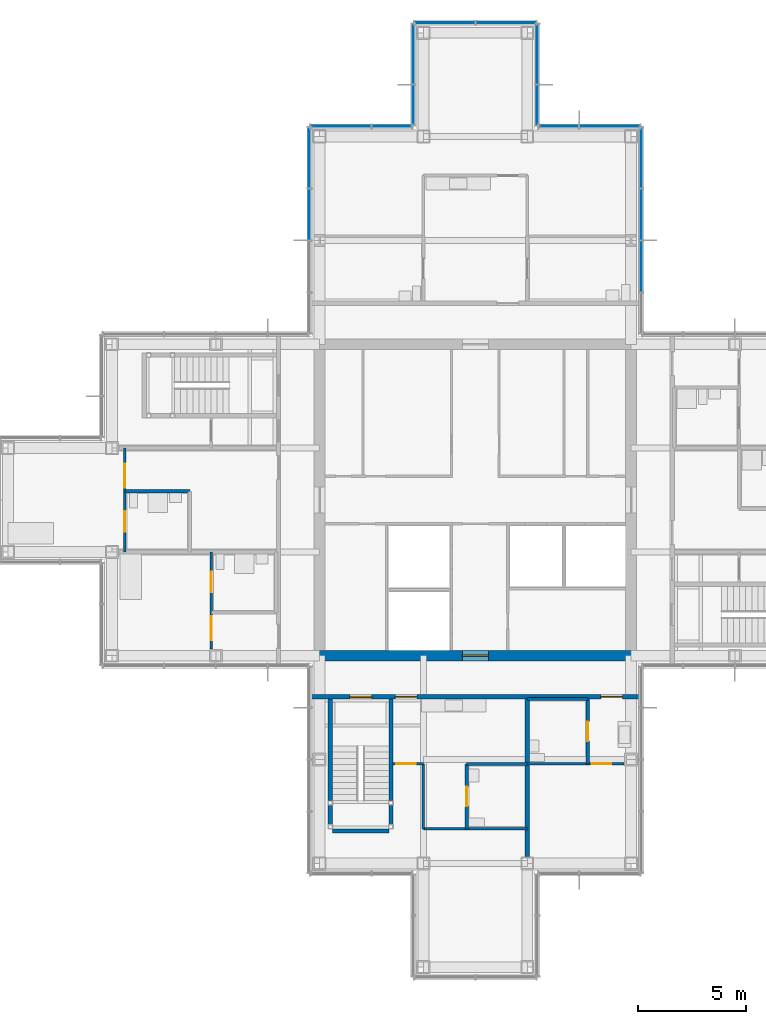
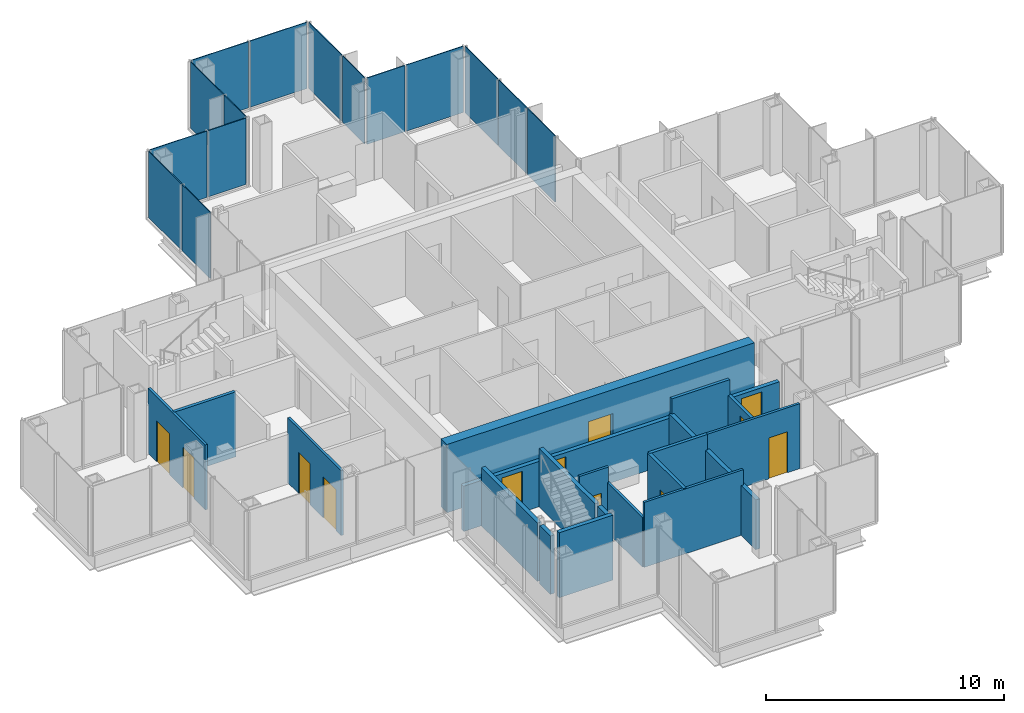
# One storey, part 11 of 17: 19 walls, 15 plates, 12 doors, 12 openings, 7 elements without a shape of their own.
"""IFC4 building model written with IfcOpenShell, lengths in metres."""

from ifc_helpers import new_model, si_unit, direction, frame, frame_2d, origin, origin_2d, place, context, subcontext, project, spatial, rectangle, extrude, material, layer, layer_set, type_object, element, fill, aggregate, save


model = new_model("IFC4")

# Units and contexts
model_context = context("Model", 3, precision=1e-05, world=origin(), true_north=direction((0.0, 1.0)))
body_context = subcontext(model_context, "Body", "Model", "MODEL_VIEW")
ifc_project = project(units=[si_unit("LENGTHUNIT", "METRE"), si_unit("AREAUNIT", "SQUARE_METRE"), si_unit("VOLUMEUNIT", "CUBIC_METRE"), si_unit("PLANEANGLEUNIT", "RADIAN"), si_unit("MASSUNIT", "GRAM", prefix="KILO")], contexts=[model_context])

# Site, building, storey
site_placement = place(None, origin())
site = spatial("IfcSite", under=ifc_project, at=site_placement, CompositionType="ELEMENT")
building_placement = place(site_placement, origin())
building = spatial("IfcBuilding", under=site, at=building_placement, Name="Kvirike Care Tower", CompositionType="ELEMENT")
storey_placement = place(building_placement, frame((0.0, 0.0, 158.5)))
storey = spatial("IfcBuildingStorey", under=building, at=storey_placement, Name="L43", CompositionType="ELEMENT", Elevation=158.5)

# Curtain wall, plates
ifc_material_1 = material(Name="Anodised aluminium stick system", Category="aluminium")
curtain_wall_type = type_object("IfcCurtainWallType", Name="CW-C STICK CURTAIN WALL", PredefinedType="NOTDEFINED", material=ifc_material_1)
curtain_wall_1_placement = place(storey_placement, origin())
curtain_wall_1 = element("IfcCurtainWall", 1, at=curtain_wall_1_placement, inside=storey, type_object=curtain_wall_type, Name="Curtain wall L43 face 8", PredefinedType="NOTDEFINED")
ifc_material_2 = material(Name="Tinted double glazed unit", Category="glass")
ifc_layer_1 = layer(ifc_material_2, 0.0400390625)
ifc_layer_set_1 = layer_set([ifc_layer_1], Name="TINTED VISION PANEL 40")
plate_type = type_object("IfcPlateType", Name="TINTED VISION PANEL 40", PredefinedType="CURTAIN_PANEL", material=ifc_layer_set_1)
plate_1_placement = place(storey_placement, frame((29.27001953125, 46.800048828125, 0.10009765625), z_axis=(0.0, 0.0, 1.0), x_axis=(0.0, 1.0, 0.0)))
plate_1 = element("IfcPlate", 2, at=plate_1_placement, type_object=plate_type, Name="CW-C panel L43 face 8.2", PredefinedType="CURTAIN_PANEL", context=body_context, shape_type="SweptSolid", body=[
    extrude(rectangle(XDim=2.3349609375, YDim=0.0400390625, at=origin_2d()), origin(), (0.0, 0.0, 1.0), 3.39990234375),
])
plate_2_placement = place(storey_placement, frame((29.27001953125, 49.199951171875, 0.10009765625), z_axis=(0.0, 0.0, 1.0), x_axis=(0.0, 1.0, 0.0)))
plate_2 = element("IfcPlate", 3, at=plate_2_placement, type_object=plate_type, Name="CW-C panel L43 face 8.3", PredefinedType="CURTAIN_PANEL", context=body_context, shape_type="SweptSolid", body=[
    extrude(rectangle(XDim=2.3349609375, YDim=0.0400390625, at=origin_2d()), origin(), (0.0, 0.0, 1.0), 3.39990234375),
])
plate_3_placement = place(storey_placement, frame((29.27001953125, 51.81884765625, 0.10009765625), z_axis=(0.0, 0.0, 1.0), x_axis=(0.0, 1.0, 0.0)))
plate_3 = element("IfcPlate", 4, at=plate_3_placement, type_object=plate_type, Name="CW-C panel L43 face 8.4", PredefinedType="CURTAIN_PANEL", context=body_context, shape_type="SweptSolid", body=[
    extrude(rectangle(XDim=2.7724609375, YDim=0.0400390625, at=origin_2d()), origin(), (0.0, 0.0, 1.0), 3.39990234375),
])
aggregate(curtain_wall_1, [plate_1, plate_2, plate_3])

curtain_wall_2_placement = place(storey_placement, origin())
curtain_wall_2 = element("IfcCurtainWall", 5, at=curtain_wall_2_placement, inside=storey, type_object=curtain_wall_type, Name="Curtain wall L43 face 9", PredefinedType="NOTDEFINED")
plate_4_placement = place(storey_placement, frame((27.81884765625, 53.27001953125, 0.10009765625), z_axis=(0.0, 0.0, 1.0), x_axis=(-1.0, 0.0, 0.0)))
plate_4 = element("IfcPlate", 6, at=plate_4_placement, type_object=plate_type, Name="CW-C panel L43 face 9.1", PredefinedType="CURTAIN_PANEL", context=body_context, shape_type="SweptSolid", body=[
    extrude(rectangle(XDim=2.7724609375, YDim=0.0400390625, at=origin_2d()), origin(), (0.0, 0.0, 1.0), 3.39990234375),
])
plate_5_placement = place(storey_placement, frame((25.451171875, 53.27001953125, 0.10009765625), z_axis=(0.0, 0.0, 1.0), x_axis=(-1.0, 0.0, 0.0)))
plate_5 = element("IfcPlate", 7, at=plate_5_placement, type_object=plate_type, Name="CW-C panel L43 face 9.2", PredefinedType="CURTAIN_PANEL", context=body_context, shape_type="SweptSolid", body=[
    extrude(rectangle(XDim=1.83251953125, YDim=0.0400390625, at=origin_2d()), origin(), (0.0, 0.0, 1.0), 3.39990234375),
])
aggregate(curtain_wall_2, [plate_4, plate_5])

curtain_wall_3_placement = place(storey_placement, origin())
curtain_wall_3 = element("IfcCurtainWall", 8, at=curtain_wall_3_placement, inside=storey, type_object=curtain_wall_type, Name="Curtain wall L43 face 10", PredefinedType="NOTDEFINED")
plate_6_placement = place(storey_placement, frame((24.469970703125, 54.251220703125, 0.10009765625), z_axis=(0.0, 0.0, 1.0), x_axis=(0.0, 1.0, 0.0)))
plate_6 = element("IfcPlate", 9, at=plate_6_placement, type_object=plate_type, Name="CW-C panel L43 face 10.1", PredefinedType="CURTAIN_PANEL", context=body_context, shape_type="SweptSolid", body=[
    extrude(rectangle(XDim=1.83251953125, YDim=0.0400390625, at=origin_2d()), origin(), (0.0, 0.0, 1.0), 3.39990234375),
])
plate_7_placement = place(storey_placement, frame((24.469970703125, 56.61865234375, 0.10009765625), z_axis=(0.0, 0.0, 1.0), x_axis=(0.0, 1.0, 0.0)))
plate_7 = element("IfcPlate", 10, at=plate_7_placement, type_object=plate_type, Name="CW-C panel L43 face 10.2", PredefinedType="CURTAIN_PANEL", context=body_context, shape_type="SweptSolid", body=[
    extrude(rectangle(XDim=2.7724609375, YDim=0.0400390625, at=origin_2d()), origin(), (0.0, 0.0, 1.0), 3.39990234375),
])
aggregate(curtain_wall_3, [plate_6, plate_7])

curtain_wall_4_placement = place(storey_placement, origin())
curtain_wall_4 = element("IfcCurtainWall", 11, at=curtain_wall_4_placement, inside=storey, type_object=curtain_wall_type, Name="Curtain wall L43 face 11", PredefinedType="NOTDEFINED")
plate_8_placement = place(storey_placement, frame((23.018798828125, 58.070068359375, 0.10009765625), z_axis=(0.0, 0.0, 1.0), x_axis=(-1.0, 0.0, 0.0)))
plate_8 = element("IfcPlate", 12, at=plate_8_placement, type_object=plate_type, Name="CW-C panel L43 face 11.1", PredefinedType="CURTAIN_PANEL", context=body_context, shape_type="SweptSolid", body=[
    extrude(rectangle(XDim=2.7724609375, YDim=0.0400390625, at=origin_2d()), origin(), (0.0, 0.0, 1.0), 3.39990234375),
])
plate_9_placement = place(storey_placement, frame((20.18115234375, 58.070068359375, 0.10009765625), z_axis=(0.0, 0.0, 1.0), x_axis=(-1.0, 0.0, 0.0)))
plate_9 = element("IfcPlate", 13, at=plate_9_placement, type_object=plate_type, Name="CW-C panel L43 face 11.2", PredefinedType="CURTAIN_PANEL", context=body_context, shape_type="SweptSolid", body=[
    extrude(rectangle(XDim=2.7724609375, YDim=0.0400390625, at=origin_2d()), origin(), (0.0, 0.0, 1.0), 3.39990234375),
])
aggregate(curtain_wall_4, [plate_8, plate_9])

curtain_wall_5_placement = place(storey_placement, origin())
curtain_wall_5 = element("IfcCurtainWall", 14, at=curtain_wall_5_placement, inside=storey, type_object=curtain_wall_type, Name="Curtain wall L43 face 12", PredefinedType="NOTDEFINED")
plate_10_placement = place(storey_placement, frame((18.72998046875, 56.61865234375, 0.10009765625), z_axis=(0.0, 0.0, 1.0), x_axis=(0.0, -1.0, 0.0)))
plate_10 = element("IfcPlate", 15, at=plate_10_placement, type_object=plate_type, Name="CW-C panel L43 face 12.1", PredefinedType="CURTAIN_PANEL", context=body_context, shape_type="SweptSolid", body=[
    extrude(rectangle(XDim=2.7724609375, YDim=0.0400390625, at=origin_2d()), origin(), (0.0, 0.0, 1.0), 3.39990234375),
])
plate_11_placement = place(storey_placement, frame((18.72998046875, 54.251220703125, 0.10009765625), z_axis=(0.0, 0.0, 1.0), x_axis=(0.0, -1.0, 0.0)))
plate_11 = element("IfcPlate", 16, at=plate_11_placement, type_object=plate_type, Name="CW-C panel L43 face 12.2", PredefinedType="CURTAIN_PANEL", context=body_context, shape_type="SweptSolid", body=[
    extrude(rectangle(XDim=1.83251953125, YDim=0.0400390625, at=origin_2d()), origin(), (0.0, 0.0, 1.0), 3.39990234375),
])
aggregate(curtain_wall_5, [plate_10, plate_11])

curtain_wall_6_placement = place(storey_placement, origin())
curtain_wall_6 = element("IfcCurtainWall", 17, at=curtain_wall_6_placement, inside=storey, type_object=curtain_wall_type, Name="Curtain wall L43 face 13", PredefinedType="NOTDEFINED")
plate_12_placement = place(storey_placement, frame((17.748779296875, 53.27001953125, 0.10009765625), z_axis=(0.0, 0.0, 1.0), x_axis=(-1.0, 0.0, 0.0)))
plate_12 = element("IfcPlate", 18, at=plate_12_placement, type_object=plate_type, Name="CW-C panel L43 face 13.1", PredefinedType="CURTAIN_PANEL", context=body_context, shape_type="SweptSolid", body=[
    extrude(rectangle(XDim=1.83251953125, YDim=0.0400390625, at=origin_2d()), origin(), (0.0, 0.0, 1.0), 3.39990234375),
])
plate_13_placement = place(storey_placement, frame((15.38134765625, 53.27001953125, 0.10009765625), z_axis=(0.0, 0.0, 1.0), x_axis=(-1.0, 0.0, 0.0)))
plate_13 = element("IfcPlate", 19, at=plate_13_placement, type_object=plate_type, Name="CW-C panel L43 face 13.2", PredefinedType="CURTAIN_PANEL", context=body_context, shape_type="SweptSolid", body=[
    extrude(rectangle(XDim=2.7724609375, YDim=0.0400390625, at=origin_2d()), origin(), (0.0, 0.0, 1.0), 3.39990234375),
])
aggregate(curtain_wall_6, [plate_12, plate_13])

curtain_wall_7_placement = place(storey_placement, origin())
curtain_wall_7 = element("IfcCurtainWall", 20, at=curtain_wall_7_placement, inside=storey, type_object=curtain_wall_type, Name="Curtain wall L43 face 14", PredefinedType="NOTDEFINED")
plate_14_placement = place(storey_placement, frame((13.929931640625, 51.81884765625, 0.10009765625), z_axis=(0.0, 0.0, 1.0), x_axis=(0.0, -1.0, 0.0)))
plate_14 = element("IfcPlate", 21, at=plate_14_placement, type_object=plate_type, Name="CW-C panel L43 face 14.1", PredefinedType="CURTAIN_PANEL", context=body_context, shape_type="SweptSolid", body=[
    extrude(rectangle(XDim=2.7724609375, YDim=0.0400390625, at=origin_2d()), origin(), (0.0, 0.0, 1.0), 3.39990234375),
])
plate_15_placement = place(storey_placement, frame((13.929931640625, 49.199951171875, 0.10009765625), z_axis=(0.0, 0.0, 1.0), x_axis=(0.0, -1.0, 0.0)))
plate_15 = element("IfcPlate", 22, at=plate_15_placement, type_object=plate_type, Name="CW-C panel L43 face 14.2", PredefinedType="CURTAIN_PANEL", context=body_context, shape_type="SweptSolid", body=[
    extrude(rectangle(XDim=2.3349609375, YDim=0.0400390625, at=origin_2d()), origin(), (0.0, 0.0, 1.0), 3.39990234375),
])
aggregate(curtain_wall_7, [plate_14, plate_15])

# Wall
ifc_material_3 = material(Name="Moisture-resistant board partition", Category="gypsum")
ifc_layer_2 = layer(ifc_material_3, 0.14990234375)
ifc_layer_set_2 = layer_set([ifc_layer_2], Name="BATHROOM WALL 150")
wall_type_1 = type_object("IfcWallType", Name="BATHROOM WALL 150", PredefinedType="PARTITIONING", material=ifc_layer_set_2)
wall_1_placement = place(storey_placement, frame((5.39990234375, 36.39990234375, 0.0), z_axis=(0.0, 0.0, 1.0), x_axis=(1.0, 0.0, 0.0)))
element("IfcWall", 23, at=wall_1_placement, inside=storey, type_object=wall_type_1, Name="Bathroom Wall 150 L43", PredefinedType="PARTITIONING", context=body_context, shape_type="SweptSolid", body=[
    extrude(rectangle(XDim=3.0, YDim=0.14990234375, at=frame_2d((1.5, 0.0))), origin(), (0.0, 0.0, 1.0), 3.330078125),
])

# Wall, opening, door
wall_2_placement = place(storey_placement, frame((21.199951171875, 20.800048828125, 0.0), z_axis=(0.0, 0.0, 1.0), x_axis=(0.0, 1.0, 0.0)))
wall_2 = element("IfcWall", 24, at=wall_2_placement, inside=storey, type_object=wall_type_1, Name="Bathroom Wall 150 L43", PredefinedType="PARTITIONING", context=body_context, shape_type="SweptSolid", body=[
    extrude(rectangle(XDim=3.0, YDim=0.14990234375, at=frame_2d((1.5, 0.0))), origin(), (0.0, 0.0, 1.0), 3.330078125),
])
opening_1_placement = place(wall_2_placement, frame((1.050048828125, 0.0, 0.0)))
opening_1 = element("IfcOpeningElement", 25, at=opening_1_placement, cuts=wall_2, Name="Opening 43-010", PredefinedType="OPENING", context=body_context, shape_type="SweptSolid", body=[
    extrude(rectangle(XDim=0.89990234375, YDim=2.10009765625, at=frame_2d((0.449951171875, 1.050048828125))), frame((0.0, 0.08544921875, 0.0), z_axis=(0.0, -1.0, 0.0), x_axis=(1.0, 0.0, 0.0)), (0.0, 0.0, 1.0), 0.1708984375),
])
ifc_material_4 = material(Name="Timber door set", Category="wood")
door_type_1 = type_object("IfcDoorType", Name="BATHROOM DOOR 900", OperationType="SINGLE_SWING_RIGHT", PredefinedType="DOOR", material=ifc_material_4)
door_1_placement = place(opening_1_placement, frame((0.89990234375, 0.0, 0.0), z_axis=(0.0, 0.0, 1.0), x_axis=(-1.0, 0.0, 0.0)))
door_1 = element("IfcDoor", 26, at=door_1_placement, inside=storey, type_object=door_type_1, Name="Accessible WC door", OperationType="SINGLE_SWING_RIGHT", OverallHeight=2.10009765625, OverallWidth=0.89990234375, PredefinedType="DOOR", context=body_context, shape_type="SweptSolid", body=[
    extrude(rectangle(XDim=0.89990234375, YDim=2.10009765625, at=frame_2d((0.449951171875, 1.050048828125))), frame((0.0, 0.02197265625, 0.0), z_axis=(0.0, -1.0, 0.0), x_axis=(1.0, 0.0, 0.0)), (0.0, 0.0, 1.0), 0.0439453125),
])
fill(opening_1, door_1)

# Wall
wall_3_placement = place(storey_placement, frame((21.199951171875, 23.800048828125, 0.0), z_axis=(0.0, 0.0, 1.0), x_axis=(1.0, 0.0, 0.0)))
element("IfcWall", 27, at=wall_3_placement, inside=storey, type_object=wall_type_1, Name="Bathroom Wall 150 L43", PredefinedType="PARTITIONING", context=body_context, shape_type="SweptSolid", body=[
    extrude(rectangle(XDim=2.800048828125, YDim=0.14990234375, at=frame_2d((1.39990234375, 0.0))), origin(), (0.0, 0.0, 1.0), 3.330078125),
])

# Wall, opening, door
wall_4_placement = place(storey_placement, frame((26.800048828125, 23.800048828125, 0.0), z_axis=(0.0, 0.0, 1.0), x_axis=(0.0, 1.0, 0.0)))
wall_4 = element("IfcWall", 28, at=wall_4_placement, inside=storey, type_object=wall_type_1, Name="Bathroom Wall 150 L43", PredefinedType="PARTITIONING", context=body_context, shape_type="SweptSolid", body=[
    extrude(rectangle(XDim=3.0, YDim=0.14990234375, at=frame_2d((1.5, 0.0))), origin(), (0.0, 0.0, 1.0), 2.550048828125),
])
opening_2_placement = place(wall_4_placement, frame((1.050048828125, 0.0, 0.0)))
opening_2 = element("IfcOpeningElement", 29, at=opening_2_placement, cuts=wall_4, Name="Opening 43-012", PredefinedType="OPENING", context=body_context, shape_type="SweptSolid", body=[
    extrude(rectangle(XDim=0.89990234375, YDim=2.10009765625, at=frame_2d((0.449951171875, 1.050048828125))), frame((0.0, 0.08544921875, 0.0), z_axis=(0.0, -1.0, 0.0), x_axis=(1.0, 0.0, 0.0)), (0.0, 0.0, 1.0), 0.1708984375),
])
door_2_placement = place(opening_2_placement, frame((0.89990234375, 0.0, 0.0), z_axis=(0.0, 0.0, 1.0), x_axis=(-1.0, 0.0, 0.0)))
door_2 = element("IfcDoor", 30, at=door_2_placement, inside=storey, type_object=door_type_1, Name="Staff WC door", OperationType="SINGLE_SWING_RIGHT", OverallHeight=2.10009765625, OverallWidth=0.89990234375, PredefinedType="DOOR", context=body_context, shape_type="SweptSolid", body=[
    extrude(rectangle(XDim=0.89990234375, YDim=2.10009765625, at=frame_2d((0.449951171875, 1.050048828125))), frame((0.0, 0.02197265625, 0.0), z_axis=(0.0, -1.0, 0.0), x_axis=(1.0, 0.0, 0.0)), (0.0, 0.0, 1.0), 0.0439453125),
])
fill(opening_2, door_2)

# Wall
wall_5_placement = place(storey_placement, frame((24.0, 26.800048828125, 0.0), z_axis=(0.0, 0.0, 1.0), x_axis=(1.0, 0.0, 0.0)))
element("IfcWall", 31, at=wall_5_placement, inside=storey, type_object=wall_type_1, Name="Bathroom Wall 150 L43", PredefinedType="PARTITIONING", context=body_context, shape_type="SweptSolid", body=[
    extrude(rectangle(XDim=2.800048828125, YDim=0.14990234375, at=frame_2d((1.39990234375, 0.0))), origin(), (0.0, 0.0, 1.0), 3.330078125),
])

# Wall, opening, door
ifc_material_5 = material(Name="Concrete C45/55", Category="concrete")
ifc_layer_3 = layer(ifc_material_5, 0.5)
ifc_layer_set_3 = layer_set([ifc_layer_3], Name="CORE WALL 500 C45-55")
wall_type_2 = type_object("IfcWallType", Name="CORE WALL 500 C45-55", PredefinedType="SHEAR", material=ifc_layer_set_3)
wall_6_placement = place(storey_placement, frame((14.14990234375, 28.800048828125, -0.169921875), z_axis=(0.0, 0.0, 1.0), x_axis=(1.0, 0.0, 0.0)))
wall_6 = element("IfcWall", 32, at=wall_6_placement, inside=storey, type_object=wall_type_2, Name="Core wall S L43", PredefinedType="SHEAR", context=body_context, shape_type="SweptSolid", body=[
    extrude(rectangle(XDim=14.900146484375, YDim=0.5, at=frame_2d((7.4501953125, 0.0))), origin(), (0.0, 0.0, 1.0), 3.5),
])
opening_3_placement = place(wall_6_placement, frame((6.85009765625, 0.0, 0.169921875)))
opening_3 = element("IfcOpeningElement", 33, at=opening_3_placement, cuts=wall_6, Name="Opening 43-043", PredefinedType="OPENING", context=body_context, shape_type="SweptSolid", body=[
    extrude(rectangle(XDim=1.199951171875, YDim=2.10009765625, at=frame_2d((0.60009765625, 1.050048828125))), frame((0.0, 0.260498046875, 0.0), z_axis=(0.0, -1.0, 0.0), x_axis=(1.0, 0.0, 0.0)), (0.0, 0.0, 1.0), 0.52099609375),
])
ifc_material_6 = material(Name="Timber door set", Category="wood")
door_type_2 = type_object("IfcDoorType", Name="CORE DOOR 1200", OperationType="SINGLE_SWING_LEFT", PredefinedType="DOOR", material=ifc_material_6)
door_3_placement = place(opening_3_placement, origin())
door_3 = element("IfcDoor", 34, at=door_3_placement, inside=storey, type_object=door_type_2, Name="Core door S L43", OperationType="SINGLE_SWING_LEFT", OverallHeight=2.10009765625, OverallWidth=1.199951171875, PredefinedType="DOOR", context=body_context, shape_type="SweptSolid", body=[
    extrude(rectangle(XDim=1.199951171875, YDim=2.10009765625, at=frame_2d((0.60009765625, 1.050048828125))), frame((0.0, 0.02685546875, 0.0), z_axis=(0.0, -1.0, 0.0), x_axis=(1.0, 0.0, 0.0)), (0.0, 0.0, 1.0), 0.053955078125),
])
fill(opening_3, door_3)

# Wall, openings, doors
ifc_material_7 = material(Name="Plasterboard corridor wall", Category="gypsum")
ifc_layer_4 = layer(ifc_material_7, 0.199951171875)
ifc_layer_set_4 = layer_set([ifc_layer_4], Name="CORRIDOR WALL 200")
wall_type_3 = type_object("IfcWallType", Name="CORRIDOR WALL 200", PredefinedType="PARTITIONING", material=ifc_layer_set_4)
wall_7_placement = place(storey_placement, frame((13.949951171875, 26.89990234375, 0.0), z_axis=(0.0, 0.0, 1.0), x_axis=(1.0, 0.0, 0.0)))
wall_7 = element("IfcWall", 35, at=wall_7_placement, inside=storey, type_object=wall_type_3, Name="Corridor Wall 200 L43", PredefinedType="PARTITIONING", context=body_context, shape_type="SweptSolid", body=[
    extrude(rectangle(XDim=15.300048828125, YDim=0.199951171875, at=frame_2d((7.64990234375, 0.0))), origin(), (0.0, 0.0, 1.0), 2.320068359375),
])
opening_4_placement = place(wall_7_placement, frame((1.85009765625, 0.0, 0.0)))
opening_4 = element("IfcOpeningElement", 36, at=opening_4_placement, cuts=wall_7, Name="Opening 43-014", PredefinedType="OPENING", context=body_context, shape_type="SweptSolid", body=[
    extrude(rectangle(XDim=1.0, YDim=2.10009765625, at=frame_2d((0.5, 1.050048828125))), frame((0.0, 0.110595703125, 0.0), z_axis=(0.0, -1.0, 0.0), x_axis=(1.0, 0.0, 0.0)), (0.0, 0.0, 1.0), 0.220947265625),
])
opening_5_placement = place(wall_7_placement, frame((3.949951171875, 0.0, 0.0)))
opening_5 = element("IfcOpeningElement", 37, at=opening_5_placement, cuts=wall_7, Name="Opening 43-015", PredefinedType="OPENING", context=body_context, shape_type="SweptSolid", body=[
    extrude(rectangle(XDim=1.0, YDim=2.10009765625, at=frame_2d((0.5, 1.050048828125))), frame((0.0, 0.110595703125, 0.0), z_axis=(0.0, -1.0, 0.0), x_axis=(1.0, 0.0, 0.0)), (0.0, 0.0, 1.0), 0.220947265625),
])
opening_6_placement = place(wall_7_placement, frame((13.449951171875, 0.0, 0.0)))
opening_6 = element("IfcOpeningElement", 38, at=opening_6_placement, cuts=wall_7, Name="Opening 43-016", PredefinedType="OPENING", context=body_context, shape_type="SweptSolid", body=[
    extrude(rectangle(XDim=1.0, YDim=2.10009765625, at=frame_2d((0.5, 1.050048828125))), frame((0.0, 0.110595703125, 0.0), z_axis=(0.0, -1.0, 0.0), x_axis=(1.0, 0.0, 0.0)), (0.0, 0.0, 1.0), 0.220947265625),
])
ifc_material_8 = material(Name="Timber door set", Category="wood")
door_type_3 = type_object("IfcDoorType", Name="FLAT ENTRANCE DOOR 1000", OperationType="SINGLE_SWING_LEFT", PredefinedType="DOOR", material=ifc_material_8)
door_4_placement = place(opening_5_placement, frame((1.0, 0.0, 0.0), z_axis=(0.0, 0.0, 1.0), x_axis=(-1.0, 0.0, 0.0)))
door_4 = element("IfcDoor", 39, at=door_4_placement, inside=storey, type_object=door_type_3, Name="Household lounge entrance", OperationType="SINGLE_SWING_LEFT", OverallHeight=2.10009765625, OverallWidth=1.0, PredefinedType="DOOR", context=body_context, shape_type="SweptSolid", body=[
    extrude(rectangle(XDim=1.0, YDim=2.10009765625, at=frame_2d((0.5, 1.050048828125))), frame((0.0, 0.02685546875, 0.0), z_axis=(0.0, -1.0, 0.0), x_axis=(1.0, 0.0, 0.0)), (0.0, 0.0, 1.0), 0.053955078125),
])
fill(opening_5, door_4)
door_5_placement = place(opening_6_placement, frame((1.0, 0.0, 0.0), z_axis=(0.0, 0.0, 1.0), x_axis=(-1.0, 0.0, 0.0)))
door_5 = element("IfcDoor", 40, at=door_5_placement, inside=storey, type_object=door_type_3, Name="Household dining entrance", OperationType="SINGLE_SWING_RIGHT", OverallHeight=2.10009765625, OverallWidth=1.0, PredefinedType="DOOR", context=body_context, shape_type="SweptSolid", body=[
    extrude(rectangle(XDim=1.0, YDim=2.10009765625, at=frame_2d((0.5, 1.050048828125))), frame((0.0, 0.02685546875, 0.0), z_axis=(0.0, -1.0, 0.0), x_axis=(1.0, 0.0, 0.0)), (0.0, 0.0, 1.0), 0.053955078125),
])
fill(opening_6, door_5)
ifc_material_9 = material(Name="Timber door set", Category="wood")
door_type_4 = type_object("IfcDoorType", Name="STAIR DOOR 1000", OperationType="SINGLE_SWING_LEFT", PredefinedType="DOOR", material=ifc_material_9)
door_6_placement = place(opening_4_placement, frame((1.0, 0.0, 0.0), z_axis=(0.0, 0.0, 1.0), x_axis=(-1.0, 0.0, 0.0)))
door_6 = element("IfcDoor", 41, at=door_6_placement, inside=storey, type_object=door_type_4, Name="Stair 5 door", OperationType="SINGLE_SWING_LEFT", OverallHeight=2.10009765625, OverallWidth=1.0, PredefinedType="DOOR", context=body_context, shape_type="SweptSolid", body=[
    extrude(rectangle(XDim=1.0, YDim=2.10009765625, at=frame_2d((0.5, 1.050048828125))), frame((0.0, 0.031982421875, 0.0), z_axis=(0.0, -1.0, 0.0), x_axis=(1.0, 0.0, 0.0)), (0.0, 0.0, 1.0), 0.06396484375),
])
fill(opening_4, door_6)

ifc_material_10 = material(Name="Plasterboard partition", Category="gypsum")
ifc_layer_5 = layer(ifc_material_10, 0.1201171875)
ifc_layer_set_5 = layer_set([ifc_layer_5], Name="PARTITION 120")
wall_type_4 = type_object("IfcWallType", Name="PARTITION 120", PredefinedType="PARTITIONING", material=ifc_layer_set_5)
wall_8_placement = place(storey_placement, frame((5.39990234375, 38.39990234375, 0.0), z_axis=(0.0, 0.0, 1.0), x_axis=(0.0, -1.0, 0.0)))
wall_8 = element("IfcWall", 42, at=wall_8_placement, inside=storey, type_object=wall_type_4, Name="Partition 120 L43", PredefinedType="PARTITIONING", context=body_context, shape_type="SweptSolid", body=[
    extrude(rectangle(XDim=4.7998046875, YDim=0.1201171875, at=frame_2d((2.39990234375, 0.0))), origin(), (0.0, 0.0, 1.0), 3.330078125),
])
opening_7_placement = place(wall_8_placement, frame((0.72509765625, 0.0, 0.0)))
opening_7 = element("IfcOpeningElement", 43, at=opening_7_placement, cuts=wall_8, Name="Opening 43-002", PredefinedType="OPENING", context=body_context, shape_type="SweptSolid", body=[
    extrude(rectangle(XDim=1.10009765625, YDim=2.10009765625, at=frame_2d((0.550048828125, 1.050048828125))), frame((0.0, 0.070556640625, 0.0), z_axis=(0.0, -1.0, 0.0), x_axis=(1.0, 0.0, 0.0)), (0.0, 0.0, 1.0), 0.14111328125),
])
opening_8_placement = place(wall_8_placement, frame((2.925048828125, 0.0, 0.0)))
opening_8 = element("IfcOpeningElement", 44, at=opening_8_placement, cuts=wall_8, Name="Opening 43-003", PredefinedType="OPENING", context=body_context, shape_type="SweptSolid", body=[
    extrude(rectangle(XDim=0.949951171875, YDim=2.10009765625, at=frame_2d((0.47509765625, 1.050048828125))), frame((0.0, 0.070556640625, 0.0), z_axis=(0.0, -1.0, 0.0), x_axis=(1.0, 0.0, 0.0)), (0.0, 0.0, 1.0), 0.14111328125),
])
ifc_material_11 = material(Name="Timber door set", Category="wood")
door_type_5 = type_object("IfcDoorType", Name="BEDROOM DOOR 1100", OperationType="SINGLE_SWING_LEFT", PredefinedType="DOOR", material=ifc_material_11)
door_7_placement = place(opening_7_placement, origin())
door_7 = element("IfcDoor", 45, at=door_7_placement, inside=storey, type_object=door_type_5, Name="Memory care bedroom door", OperationType="SINGLE_SWING_LEFT", OverallHeight=2.10009765625, OverallWidth=1.10009765625, PredefinedType="DOOR", context=body_context, shape_type="SweptSolid", body=[
    extrude(rectangle(XDim=1.10009765625, YDim=2.10009765625, at=frame_2d((0.550048828125, 1.050048828125))), frame((0.0, 0.02197265625, 0.0), z_axis=(0.0, -1.0, 0.0), x_axis=(1.0, 0.0, 0.0)), (0.0, 0.0, 1.0), 0.0439453125),
])
fill(opening_7, door_7)
ifc_material_12 = material(Name="Timber door set", Category="wood")
door_type_6 = type_object("IfcDoorType", Name="EN-SUITE SLIDING DOOR 950", OperationType="SLIDING_TO_LEFT", PredefinedType="DOOR", material=ifc_material_12)
door_8_placement = place(opening_8_placement, origin())
door_8 = element("IfcDoor", 46, at=door_8_placement, inside=storey, type_object=door_type_6, Name="En-suite door", OperationType="SLIDING_TO_LEFT", OverallHeight=2.10009765625, OverallWidth=0.949951171875, PredefinedType="DOOR", context=body_context, shape_type="SweptSolid", body=[
    extrude(rectangle(XDim=0.949951171875, YDim=2.10009765625, at=frame_2d((0.47509765625, 1.050048828125))), frame((0.0, 0.02197265625, 0.0), z_axis=(0.0, -1.0, 0.0), x_axis=(1.0, 0.0, 0.0)), (0.0, 0.0, 1.0), 0.0439453125),
])
fill(opening_8, door_8)

wall_9_placement = place(storey_placement, frame((9.39990234375, 33.60009765625, 0.0), z_axis=(0.0, 0.0, 1.0), x_axis=(0.0, -1.0, 0.0)))
wall_9 = element("IfcWall", 47, at=wall_9_placement, inside=storey, type_object=wall_type_4, Name="Partition 120 L43", PredefinedType="PARTITIONING", context=body_context, shape_type="SweptSolid", body=[
    extrude(rectangle(XDim=4.47998046875, YDim=0.1201171875, at=frame_2d((2.239990234375, 0.0))), origin(), (0.0, 0.0, 1.0), 3.330078125),
])
opening_9_placement = place(wall_9_placement, frame((2.97509765625, 0.0, 0.0)))
opening_9 = element("IfcOpeningElement", 48, at=opening_9_placement, cuts=wall_9, Name="Opening 43-004", PredefinedType="OPENING", context=body_context, shape_type="SweptSolid", body=[
    extrude(rectangle(XDim=1.10009765625, YDim=2.10009765625, at=frame_2d((0.550048828125, 1.050048828125))), frame((0.0, 0.070556640625, 0.0), z_axis=(0.0, -1.0, 0.0), x_axis=(1.0, 0.0, 0.0)), (0.0, 0.0, 1.0), 0.14111328125),
])
opening_10_placement = place(wall_9_placement, frame((0.925048828125, 0.0, 0.0)))
opening_10 = element("IfcOpeningElement", 49, at=opening_10_placement, cuts=wall_9, Name="Opening 43-005", PredefinedType="OPENING", context=body_context, shape_type="SweptSolid", body=[
    extrude(rectangle(XDim=0.949951171875, YDim=2.10009765625, at=frame_2d((0.47509765625, 1.050048828125))), frame((0.0, 0.070556640625, 0.0), z_axis=(0.0, -1.0, 0.0), x_axis=(1.0, 0.0, 0.0)), (0.0, 0.0, 1.0), 0.14111328125),
])
door_9_placement = place(opening_9_placement, origin())
door_9 = element("IfcDoor", 50, at=door_9_placement, inside=storey, type_object=door_type_5, Name="Memory care bedroom door", OperationType="SINGLE_SWING_RIGHT", OverallHeight=2.10009765625, OverallWidth=1.10009765625, PredefinedType="DOOR", context=body_context, shape_type="SweptSolid", body=[
    extrude(rectangle(XDim=1.10009765625, YDim=2.10009765625, at=frame_2d((0.550048828125, 1.050048828125))), frame((0.0, 0.02197265625, 0.0), z_axis=(0.0, -1.0, 0.0), x_axis=(1.0, 0.0, 0.0)), (0.0, 0.0, 1.0), 0.0439453125),
])
fill(opening_9, door_9)
door_10_placement = place(opening_10_placement, origin())
door_10 = element("IfcDoor", 51, at=door_10_placement, inside=storey, type_object=door_type_6, Name="En-suite door", OperationType="SLIDING_TO_LEFT", OverallHeight=2.10009765625, OverallWidth=0.949951171875, PredefinedType="DOOR", context=body_context, shape_type="SweptSolid", body=[
    extrude(rectangle(XDim=0.949951171875, YDim=2.10009765625, at=frame_2d((0.47509765625, 1.050048828125))), frame((0.0, 0.02197265625, 0.0), z_axis=(0.0, -1.0, 0.0), x_axis=(1.0, 0.0, 0.0)), (0.0, 0.0, 1.0), 0.0439453125),
])
fill(opening_10, door_10)

# Wall, opening, door
wall_10_placement = place(storey_placement, frame((17.800048828125, 23.800048828125, 0.0), z_axis=(0.0, 0.0, 1.0), x_axis=(1.0, 0.0, 0.0)))
wall_10 = element("IfcWall", 52, at=wall_10_placement, inside=storey, type_object=wall_type_4, Name="Partition 120 L43", PredefinedType="PARTITIONING", context=body_context, shape_type="SweptSolid", body=[
    extrude(rectangle(XDim=1.39990234375, YDim=0.1201171875, at=frame_2d((0.699951171875, 0.0))), origin(), (0.0, 0.0, 1.0), 3.330078125),
])
opening_11_placement = place(wall_10_placement, frame((0.14990234375, 0.0, 0.0)))
opening_11 = element("IfcOpeningElement", 53, at=opening_11_placement, cuts=wall_10, Name="Opening 43-011", PredefinedType="OPENING", context=body_context, shape_type="SweptSolid", body=[
    extrude(rectangle(XDim=0.89990234375, YDim=2.10009765625, at=frame_2d((0.449951171875, 1.050048828125))), frame((0.0, 0.070556640625, 0.0), z_axis=(0.0, -1.0, 0.0), x_axis=(1.0, 0.0, 0.0)), (0.0, 0.0, 1.0), 0.14111328125),
])
ifc_material_13 = material(Name="Timber door set", Category="wood")
door_type_7 = type_object("IfcDoorType", Name="INTERNAL DOOR 900", OperationType="SINGLE_SWING_LEFT", PredefinedType="DOOR", material=ifc_material_13)
door_11_placement = place(opening_11_placement, origin())
door_11 = element("IfcDoor", 54, at=door_11_placement, inside=storey, type_object=door_type_7, Name="Household lounge door", OperationType="SINGLE_SWING_RIGHT", OverallHeight=2.10009765625, OverallWidth=0.89990234375, PredefinedType="DOOR", context=body_context, shape_type="SweptSolid", body=[
    extrude(rectangle(XDim=0.89990234375, YDim=2.10009765625, at=frame_2d((0.449951171875, 1.050048828125))), frame((0.0, 0.02197265625, 0.0), z_axis=(0.0, -1.0, 0.0), x_axis=(1.0, 0.0, 0.0)), (0.0, 0.0, 1.0), 0.0439453125),
])
fill(opening_11, door_11)

# Walls
wall_11_placement = place(storey_placement, frame((19.199951171875, 20.800048828125, 0.0), z_axis=(0.0, 0.0, 1.0), x_axis=(1.0, 0.0, 0.0)))
element("IfcWall", 55, at=wall_11_placement, inside=storey, type_object=wall_type_4, Name="Partition 120 L43", PredefinedType="PARTITIONING", context=body_context, shape_type="SweptSolid", body=[
    extrude(rectangle(XDim=4.800048828125, YDim=0.1201171875, at=frame_2d((2.39990234375, 0.0))), origin(), (0.0, 0.0, 1.0), 3.330078125),
])
wall_12_placement = place(storey_placement, frame((19.199951171875, 20.800048828125, 0.0), z_axis=(0.0, 0.0, 1.0), x_axis=(0.0, 1.0, 0.0)))
element("IfcWall", 56, at=wall_12_placement, inside=storey, type_object=wall_type_4, Name="Partition 120 L43", PredefinedType="PARTITIONING", context=body_context, shape_type="SweptSolid", body=[
    extrude(rectangle(XDim=3.0, YDim=0.1201171875, at=frame_2d((1.5, 0.0))), origin(), (0.0, 0.0, 1.0), 2.550048828125),
])

# Wall, opening, door
wall_13_placement = place(storey_placement, frame((24.0, 23.800048828125, 0.0), z_axis=(0.0, 0.0, 1.0), x_axis=(1.0, 0.0, 0.0)))
wall_13 = element("IfcWall", 57, at=wall_13_placement, inside=storey, type_object=wall_type_4, Name="Partition 120 L43", PredefinedType="PARTITIONING", context=body_context, shape_type="SweptSolid", body=[
    extrude(rectangle(XDim=4.47998046875, YDim=0.1201171875, at=frame_2d((2.239990234375, 0.0))), origin(), (0.0, 0.0, 1.0), 3.330078125),
])
opening_12_placement = place(wall_13_placement, frame((2.97509765625, 0.0, 0.0)))
opening_12 = element("IfcOpeningElement", 58, at=opening_12_placement, cuts=wall_13, Name="Opening 43-013", PredefinedType="OPENING", context=body_context, shape_type="SweptSolid", body=[
    extrude(rectangle(XDim=0.89990234375, YDim=2.10009765625, at=frame_2d((0.449951171875, 1.050048828125))), frame((0.0, 0.070556640625, 0.0), z_axis=(0.0, -1.0, 0.0), x_axis=(1.0, 0.0, 0.0)), (0.0, 0.0, 1.0), 0.14111328125),
])
door_12_placement = place(opening_12_placement, origin())
door_12 = element("IfcDoor", 59, at=door_12_placement, inside=storey, type_object=door_type_7, Name="Household dining room door", OperationType="SINGLE_SWING_RIGHT", OverallHeight=2.10009765625, OverallWidth=0.89990234375, PredefinedType="DOOR", context=body_context, shape_type="SweptSolid", body=[
    extrude(rectangle(XDim=0.89990234375, YDim=2.10009765625, at=frame_2d((0.449951171875, 1.050048828125))), frame((0.0, 0.02197265625, 0.0), z_axis=(0.0, -1.0, 0.0), x_axis=(1.0, 0.0, 0.0)), (0.0, 0.0, 1.0), 0.0439453125),
])
fill(opening_12, door_12)

# Walls
ifc_material_14 = material(Name="Plasterboard party wall", Category="gypsum")
ifc_layer_6 = layer(ifc_material_14, 0.199951171875)
ifc_layer_set_6 = layer_set([ifc_layer_6], Name="PARTY WALL 200")
wall_type_5 = type_object("IfcWallType", Name="PARTY WALL 200", PredefinedType="PARTITIONING", material=ifc_layer_set_6)
wall_14_placement = place(storey_placement, frame((24.0, 19.52001953125, 0.0), z_axis=(0.0, 0.0, 1.0), x_axis=(0.0, 1.0, 0.0)))
element("IfcWall", 60, at=wall_14_placement, inside=storey, type_object=wall_type_5, Name="Party Wall 200 L43", PredefinedType="PARTITIONING", context=body_context, shape_type="SweptSolid", body=[
    extrude(rectangle(XDim=7.280029296875, YDim=0.199951171875, at=frame_2d((3.64013671875, 0.0))), origin(), (0.0, 0.0, 1.0), 2.550048828125),
])
ifc_material_15 = material(Name="Concrete C40/50", Category="concrete")
ifc_layer_7 = layer(ifc_material_15, 0.199951171875)
ifc_layer_set_7 = layer_set([ifc_layer_7], Name="STAIR WALL 200")
wall_type_6 = type_object("IfcWallType", Name="STAIR WALL 200", PredefinedType="SOLIDWALL", material=ifc_layer_set_7)
wall_15_placement = place(storey_placement, frame((14.89990234375, 21.0, 0.0), z_axis=(0.0, 0.0, 1.0), x_axis=(0.0, 1.0, 0.0)))
element("IfcWall", 61, at=wall_15_placement, inside=storey, type_object=wall_type_6, Name="Stair Wall 200 L43", PredefinedType="SOLIDWALL", context=body_context, shape_type="SweptSolid", body=[
    extrude(rectangle(XDim=0.89990234375, YDim=0.199951171875, at=frame_2d((0.449951171875, 0.0))), origin(), (0.0, 0.0, 1.0), 2.989990234375),
])
wall_16_placement = place(storey_placement, frame((14.89990234375, 22.10009765625, 0.0), z_axis=(0.0, 0.0, 1.0), x_axis=(0.0, 1.0, 0.0)))
element("IfcWall", 62, at=wall_16_placement, inside=storey, type_object=wall_type_6, Name="Stair Wall 200 L43", PredefinedType="SOLIDWALL", context=body_context, shape_type="SweptSolid", body=[
    extrude(rectangle(XDim=4.699951171875, YDim=0.199951171875, at=frame_2d((2.35009765625, 0.0))), origin(), (0.0, 0.0, 1.0), 2.989990234375),
])
wall_17_placement = place(storey_placement, frame((17.699951171875, 21.0, 0.0), z_axis=(0.0, 0.0, 1.0), x_axis=(0.0, 1.0, 0.0)))
element("IfcWall", 63, at=wall_17_placement, inside=storey, type_object=wall_type_6, Name="Stair Wall 200 L43", PredefinedType="SOLIDWALL", context=body_context, shape_type="SweptSolid", body=[
    extrude(rectangle(XDim=0.89990234375, YDim=0.199951171875, at=frame_2d((0.449951171875, 0.0))), origin(), (0.0, 0.0, 1.0), 2.989990234375),
])
wall_18_placement = place(storey_placement, frame((17.699951171875, 22.10009765625, 0.0), z_axis=(0.0, 0.0, 1.0), x_axis=(0.0, 1.0, 0.0)))
element("IfcWall", 64, at=wall_18_placement, inside=storey, type_object=wall_type_6, Name="Stair Wall 200 L43", PredefinedType="SOLIDWALL", context=body_context, shape_type="SweptSolid", body=[
    extrude(rectangle(XDim=4.699951171875, YDim=0.199951171875, at=frame_2d((2.35009765625, 0.0))), origin(), (0.0, 0.0, 1.0), 2.989990234375),
])
wall_19_placement = place(storey_placement, frame((15.0, 20.699951171875, 0.0), z_axis=(0.0, 0.0, 1.0), x_axis=(1.0, 0.0, 0.0)))
element("IfcWall", 65, at=wall_19_placement, inside=storey, type_object=wall_type_6, Name="Stair Wall 200 L43", PredefinedType="SOLIDWALL", context=body_context, shape_type="SweptSolid", body=[
    extrude(rectangle(XDim=2.60009765625, YDim=0.199951171875, at=frame_2d((1.300048828125, 0.0))), origin(), (0.0, 0.0, 1.0), 3.330078125),
])

save(model, "model.ifc")
